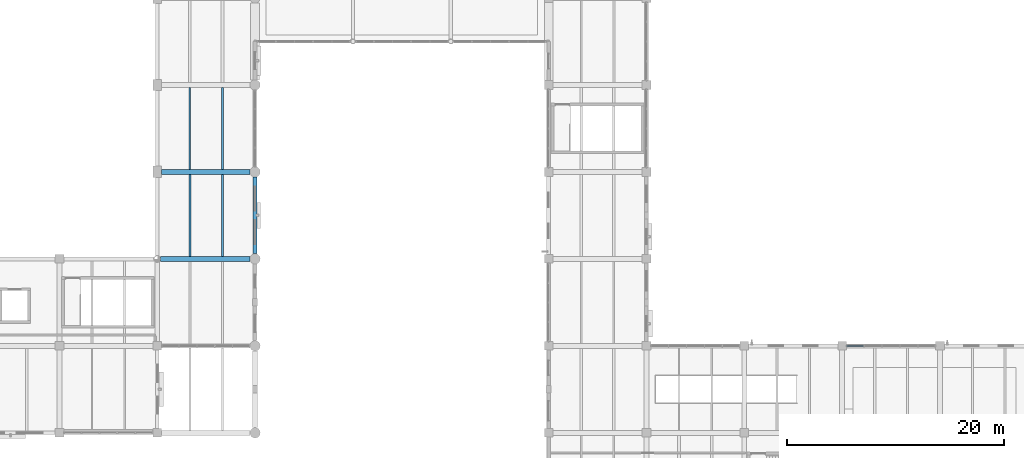
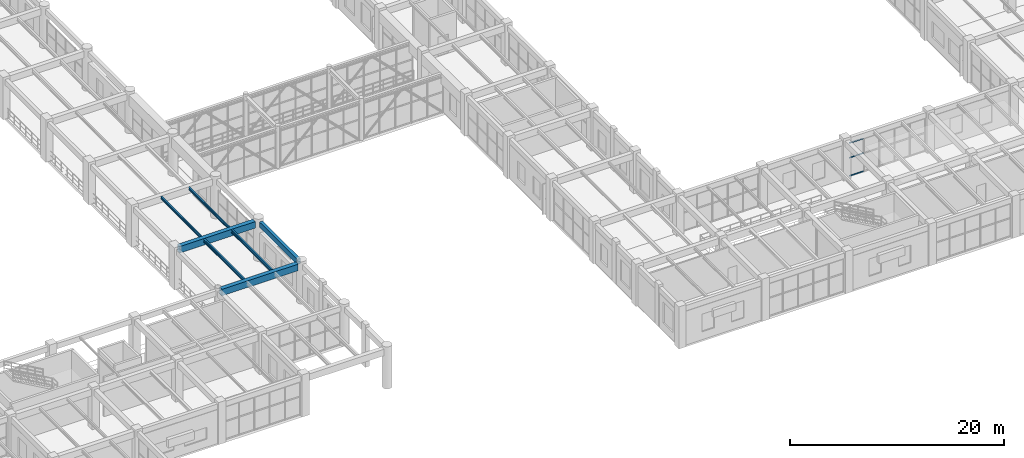
# One storey, part 53 of 178: 7 beams, 3 members, 1 element without a shape of its own.
"""IFC4 building model written with IfcOpenShell, lengths in metres."""

import ifcopenshell
import ifcopenshell.guid

model = None  # the IFC model being written
_history = None  # IfcOwnerHistory: only IFC2X3 demands one
_inside = {}  # id of a spatial element -> (the spatial element, [elements in it])
_under = {}  # id of a project, library or spatial element -> (it, [spatial elements below it])
_declared = {}  # id of a project -> (the project, [libraries it declares])
_typed = {}  # id of a type object -> (the type object, [elements of that type])
_made_of = {}  # id of a material, layer set ... -> (it, [elements and type objects made of it])


def new_model(schema):
    """Start an empty IFC model of exactly this schema.

    Asked for "IFC4X3", IfcOpenShell would pick the latest addendum, in which some entities
    have other attributes; the version numbers below select the first issue.
    IFC2X3 requires an IfcOwnerHistory on every rooted entity: one is made here for all.
    """
    global model, _history
    if schema == "IFC4X3":
        model = ifcopenshell.file(schema_version=(4, 3, 0, 0))
    else:
        model = ifcopenshell.file(schema=schema)
    _inside.clear()
    _under.clear()
    _declared.clear()
    _typed.clear()
    _made_of.clear()
    _history = None
    if model.schema == "IFC2X3":
        org = make("IfcOrganization", Name="unknown")
        user = make(
            "IfcPersonAndOrganization",
            ThePerson=make("IfcPerson", FamilyName="unknown"),
            TheOrganization=org,
        )
        app = make(
            "IfcApplication",
            ApplicationDeveloper=org,
            Version="unknown",
            ApplicationFullName="unknown",
            ApplicationIdentifier="unknown",
        )
        _history = make(
            "IfcOwnerHistory",
            OwningUser=user,
            OwningApplication=app,
            ChangeAction="ADDED",
            CreationDate=0,
        )
    return model


def make(cls, **values):
    """One entity of the class cls with the attributes given. An attribute that is None is left unset."""
    return model.create_entity(
        cls, **{name: value for name, value in values.items() if value is not None}
    )


def rooted(cls, **values):
    """An entity with a GlobalId (a new one), such as an element, a storey or a relation."""
    return make(cls, GlobalId=ifcopenshell.guid.new(), OwnerHistory=_history, **values)


def si_unit(unit_type, name, prefix=None):
    """IfcSIUnit, for example si_unit("LENGTHUNIT", "METRE", prefix="MILLI")."""
    return make("IfcSIUnit", UnitType=unit_type, Prefix=prefix, Name=name)


def derived_unit(unit_type, elements):
    """IfcDerivedUnit: a product of units, each with its exponent."""
    return make(
        "IfcDerivedUnit",
        Elements=[
            make("IfcDerivedUnitElement", Unit=unit, Exponent=power)
            for unit, power in elements
        ],
        UnitType=unit_type,
    )


def assignment(units):
    """IfcUnitAssignment: the units of a project."""
    return None if units is None else make("IfcUnitAssignment", Units=units)


def point(xyz):
    """IfcCartesianPoint."""
    return None if xyz is None else make("IfcCartesianPoint", Coordinates=xyz)


def direction(xyz):
    """IfcDirection."""
    return None if xyz is None else make("IfcDirection", DirectionRatios=xyz)


def frame(location, z_axis=None, x_axis=None):
    """IfcAxis2Placement3D, a coordinate frame: its origin and axes. An axis left out is left unset."""
    return make(
        "IfcAxis2Placement3D",
        Location=point(location),
        Axis=direction(z_axis),
        RefDirection=direction(x_axis),
    )


def frame_2d(location, x_axis=None):
    """IfcAxis2Placement2D, a coordinate frame in the plane: its origin and x axis."""
    return make(
        "IfcAxis2Placement2D", Location=point(location), RefDirection=direction(x_axis)
    )


def origin():
    """The frame at (0, 0, 0) with its axes left unset."""
    return frame((0.0, 0.0, 0.0))


def origin_2d():
    """The frame at (0, 0) in the plane with its x axis left unset."""
    return frame_2d((0.0, 0.0))


def place(relative_to, where):
    """IfcLocalPlacement: puts the frame where relative to a parent placement (None: the world)."""
    return make(
        "IfcLocalPlacement", PlacementRelTo=relative_to, RelativePlacement=where
    )


def context(
    kind, dimensions, precision=None, world=None, true_north=None, identifier=None
):
    """IfcGeometricRepresentationContext, for example the 3D "Model" context."""
    return make(
        "IfcGeometricRepresentationContext",
        ContextIdentifier=identifier,
        ContextType=kind,
        CoordinateSpaceDimension=dimensions,
        Precision=precision,
        WorldCoordinateSystem=world,
        TrueNorth=true_north,
    )


def subcontext(parent, identifier, kind, view, scale=None):
    """IfcGeometricRepresentationSubContext, for example "Body" below "Model"."""
    return make(
        "IfcGeometricRepresentationSubContext",
        ContextIdentifier=identifier,
        ContextType=kind,
        ParentContext=parent,
        TargetScale=scale,
        TargetView=view,
    )


def project(units=None, contexts=None):
    """IfcProject with its units and contexts."""
    return rooted(
        "IfcProject",
        Name="project",
        RepresentationContexts=contexts,
        UnitsInContext=assignment(units),
    )


def spatial(cls, under=None, at=None, **own):
    """A site, building, storey or space (cls), placed at a placement, below another one or the project."""
    s = rooted(cls, ObjectPlacement=at, **own)
    if under is not None:
        _under.setdefault(under.id(), (under, []))[1].append(s)
    return s


def profile(cls, at=None, kind="AREA", **sizes):
    """A parametric profile (cls). Its sizes go by their IFC names, for example OverallWidth=200.0."""
    return make(cls, ProfileType=kind, Position=at, **sizes)


def rectangle(**sizes):
    """IfcRectangleProfileDef."""
    return profile("IfcRectangleProfileDef", **sizes)


def hollow_rectangle(**sizes):
    """IfcRectangleHollowProfileDef."""
    return profile("IfcRectangleHollowProfileDef", **sizes)


def i_section(**sizes):
    """IfcIShapeProfileDef."""
    return profile("IfcIShapeProfileDef", **sizes)


def extrude(swept, where, along, depth):
    """IfcExtrudedAreaSolid: the profile swept, set in the frame where, extruded along a direction by depth."""
    return make(
        "IfcExtrudedAreaSolid",
        SweptArea=swept,
        Position=where,
        ExtrudedDirection=direction(along),
        Depth=depth,
    )


def shape(context_of_items, identifier, shape_type, items):
    """IfcShapeRepresentation: the items that make up one representation, for example the "Body"."""
    return make(
        "IfcShapeRepresentation",
        ContextOfItems=context_of_items,
        RepresentationIdentifier=identifier,
        RepresentationType=shape_type,
        Items=items,
    )


def material(Name=None, Category=None):
    """IfcMaterial."""
    return make("IfcMaterial", Name=Name, Category=Category)


def material_profile(
    of_material, cross_section, Name=None, Category=None, Priority=None
):
    """IfcMaterialProfile: a cross section and its material."""
    return make(
        "IfcMaterialProfile",
        Name=Name,
        Material=of_material,
        Profile=cross_section,
        Priority=Priority,
        Category=Category,
    )


def profile_set(profiles, Name=None, composite=None):
    """IfcMaterialProfileSet."""
    return make(
        "IfcMaterialProfileSet",
        Name=Name,
        MaterialProfiles=profiles,
        CompositeProfile=composite,
    )


def made_of(thing, what):
    """Note that an element or type object is made of a material, layer set ...; save() writes the relation."""
    if what is not None:
        _made_of.setdefault(what.id(), (what, []))[1].append(thing)
    return thing


def type_object(cls, material=None, **own):
    """A type object (cls), such as IfcWallType, which elements share."""
    return made_of(rooted(cls, **own), material)


def element(
    cls,
    number,
    at=None,
    inside=None,
    cuts=None,
    type_object=None,
    material=None,
    context=None,
    identifier="Body",
    shape_type=None,
    held_by="IfcProductDefinitionShape",
    body=None,
    shapes=None,
    **own,
):
    """One element of the class cls, such as IfcWall. Its Tag is "e" and its number.

    at: its placement. inside: the storey or other place that contains it. cuts: it is an
    opening in that element (IfcRelVoidsElement). A single representation is given by context,
    identifier, shape_type and body (its items); several are given by shapes. held_by: the class
    of the entity that holds the representations. save() writes the other relations.
    """
    e = rooted(cls, Tag="e%d" % number, ObjectPlacement=at, **own)
    if body is not None:
        shapes = [shape(context, identifier, shape_type, body)]
    if shapes is not None:
        e.Representation = make(held_by, Representations=shapes)
    if inside is not None:
        _inside.setdefault(inside.id(), (inside, []))[1].append(e)
    if cuts is not None:
        rooted(
            "IfcRelVoidsElement", RelatingBuildingElement=cuts, RelatedOpeningElement=e
        )
    if type_object is not None:
        _typed.setdefault(type_object.id(), (type_object, []))[1].append(e)
    return made_of(e, material)


def aggregate(whole, parts):
    """IfcRelAggregates: a whole, such as a stair, and the parts it consists of."""
    return rooted("IfcRelAggregates", RelatingObject=whole, RelatedObjects=parts)


def save(model, path):
    """Write the relations noted so far, then the file.

    IfcRelAggregates (storeys below a building ...), IfcRelContainedInSpatialStructure (elements
    in a storey), IfcRelDefinesByType, IfcRelAssociatesMaterial and IfcRelDeclares: one each for
    every whole, place, type object, material and project.
    """
    for whole, parts in _under.values():
        aggregate(whole, parts)
    for where, things in _inside.values():
        rooted(
            "IfcRelContainedInSpatialStructure",
            RelatedElements=things,
            RelatingStructure=where,
        )
    for kind, things in _typed.values():
        rooted("IfcRelDefinesByType", RelatedObjects=things, RelatingType=kind)
    for what, things in _made_of.values():
        rooted("IfcRelAssociatesMaterial", RelatedObjects=things, RelatingMaterial=what)
    for by, libraries in _declared.values():
        rooted("IfcRelDeclares", RelatingContext=by, RelatedDefinitions=libraries)
    model.write(path)


model = new_model("IFC4")

# Units and contexts
model_context = context("Model", 3, precision=1e-05, world=origin(), true_north=direction((0.0, 1.0)))
body_context = subcontext(model_context, "Body", "Model", "MODEL_VIEW")
ifc_project = project(units=[si_unit("LENGTHUNIT", "METRE"), si_unit("AREAUNIT", "SQUARE_METRE"), si_unit("VOLUMEUNIT", "CUBIC_METRE"), si_unit("PLANEANGLEUNIT", "RADIAN"), si_unit("MASSUNIT", "GRAM", prefix="KILO"), derived_unit("THERMALTRANSMITTANCEUNIT", [(si_unit("MASSUNIT", "GRAM", prefix="KILO"), 1), (si_unit("TIMEUNIT", "SECOND"), -3), (si_unit("THERMODYNAMICTEMPERATUREUNIT", "KELVIN"), -1)])], contexts=[model_context])

# Site, building, storey
site_placement = place(None, origin())
site = spatial("IfcSite", under=ifc_project, at=site_placement, CompositionType="ELEMENT")
building_placement = place(site_placement, origin())
building = spatial("IfcBuilding", under=site, at=building_placement, Name="Zhenchuan Archway Interchange", CompositionType="ELEMENT")
storey_placement = place(building_placement, frame((0.0, 0.0, 5.39990234375)))
storey = spatial("IfcBuildingStorey", under=building, at=storey_placement, Name="L01", CompositionType="ELEMENT", Elevation=5.39990234375)

# Beams
ifc_material_1 = material(Name="Concrete C40", Category="concrete")
ifc_material_profile_1 = material_profile(ifc_material_1, rectangle(XDim=0.449951171875, YDim=0.75, at=origin_2d()), Name="RC 450x750")
ifc_profile_set_1 = profile_set([ifc_material_profile_1], Name="Concrete C40")
beam_type_1 = type_object("IfcBeamType", Name="BM_RC_450x750", PredefinedType="BEAM", material=ifc_profile_set_1)
beam_1_placement = place(storey_placement, frame((63.304931640625, 32.0, 4.135009765625), z_axis=(1.0, 0.0, 0.0), x_axis=(0.0, 1.0, 0.0)))
element("IfcBeam", 1, at=beam_1_placement, inside=storey, type_object=beam_type_1, Name="Beam E:8-9 (L01)", PredefinedType="BEAM", context=body_context, shape_type="SweptSolid", body=[
    extrude(rectangle(XDim=0.449951171875, YDim=0.75, at=origin_2d()), origin(), (0.0, 0.0, 1.0), 8.219970703125),
])
beam_2_placement = place(storey_placement, frame((63.375, 40.0, 4.135009765625), z_axis=(1.0, 0.0, 0.0), x_axis=(0.0, 1.0, 0.0)))
element("IfcBeam", 2, at=beam_2_placement, inside=storey, type_object=beam_type_1, Name="Beam F:8-9 (L01)", PredefinedType="BEAM", context=body_context, shape_type="SweptSolid", body=[
    extrude(rectangle(XDim=0.449951171875, YDim=0.75, at=origin_2d()), origin(), (0.0, 0.0, 1.0), 8.14990234375),
])

# Curtain wall, members
ifc_material_2 = material(Name="Anodised Aluminium", Category="aluminium")
curtain_wall_type = type_object("IfcCurtainWallType", Name="CW_UNIT_4", PredefinedType="NOTDEFINED", material=ifc_material_2)
curtain_wall_placement = place(storey_placement, origin())
curtain_wall = element("IfcCurtainWall", 3, at=curtain_wall_placement, inside=storey, type_object=curtain_wall_type, Name="Unitised curtain wall CW:L01:103", PredefinedType="NOTDEFINED")
ifc_material_profile_2 = material_profile(ifc_material_2, hollow_rectangle(XDim=0.06005859375, YDim=0.139892578125, WallThickness=0.00341796875, InnerFilletRadius=0.00341796875, OuterFilletRadius=0.007080078125, at=origin_2d()), Name="ALU 140x60x3.5")
ifc_profile_set_2 = profile_set([ifc_material_profile_2], Name="Anodised Aluminium")
member_type = type_object("IfcMemberType", Name="CW_TRN_140", PredefinedType="USERDEFINED", material=ifc_profile_set_2)
member_1_placement = place(storey_placement, frame((126.447998046875, 24.0, 0.06005859375), z_axis=(1.0, 0.0, 0.0), x_axis=(0.0, 1.0, 0.0)))
member_1 = element("IfcMember", 4, at=member_1_placement, type_object=member_type, Name="CW:L01:103 transom 0-1", ObjectType="TRANSOM", PredefinedType="USERDEFINED", context=body_context, shape_type="SweptSolid", body=[
    extrude(hollow_rectangle(XDim=0.06005859375, YDim=0.139892578125, WallThickness=0.00341796875, InnerFilletRadius=0.00341796875, OuterFilletRadius=0.007080078125, at=origin_2d()), origin(), (0.0, 0.0, 1.0), 1.5126953125),
])
member_2_placement = place(storey_placement, frame((126.447998046875, 24.0, 2.123046875), z_axis=(1.0, 0.0, 0.0), x_axis=(0.0, 1.0, 0.0)))
member_2 = element("IfcMember", 5, at=member_2_placement, type_object=member_type, Name="CW:L01:103 transom 0-2", ObjectType="TRANSOM", PredefinedType="USERDEFINED", context=body_context, shape_type="SweptSolid", body=[
    extrude(hollow_rectangle(XDim=0.06005859375, YDim=0.139892578125, WallThickness=0.00341796875, InnerFilletRadius=0.00341796875, OuterFilletRadius=0.007080078125, at=origin_2d()), origin(), (0.0, 0.0, 1.0), 1.5126953125),
])
member_3_placement = place(storey_placement, frame((126.447998046875, 24.0, 3.800048828125), z_axis=(1.0, 0.0, 0.0), x_axis=(0.0, 1.0, 0.0)))
member_3 = element("IfcMember", 6, at=member_3_placement, type_object=member_type, Name="CW:L01:103 transom 0-3", ObjectType="TRANSOM", PredefinedType="USERDEFINED", context=body_context, shape_type="SweptSolid", body=[
    extrude(hollow_rectangle(XDim=0.06005859375, YDim=0.139892578125, WallThickness=0.00341796875, InnerFilletRadius=0.00341796875, OuterFilletRadius=0.007080078125, at=origin_2d()), origin(), (0.0, 0.0, 1.0), 1.5126953125),
])
aggregate(curtain_wall, [member_1, member_2, member_3])

# Beams
ifc_material_3 = material(Name="Steel Q355", Category="steel")
ifc_material_profile_3 = material_profile(ifc_material_3, i_section(OverallWidth=0.14990234375, OverallDepth=0.300048828125, WebThickness=0.006591796875, FlangeThickness=0.009033203125, FilletRadius=0.012939453125, at=origin_2d()), Name="HN 300x150")
ifc_profile_set_3 = profile_set([ifc_material_profile_3], Name="Steel Q355")
beam_type_2 = type_object("IfcBeamType", Name="JST_STL_HN300", PredefinedType="JOIST", material=ifc_profile_set_3)
for number, where, z_axis, x_axis, name in (
    (7, (66.0, 40.22509765625, 4.360107421875), (0.0, 1.0, 0.0), (-1.0, 0.0, 0.0), "Secondary joist 8-9/F-G #1 (L01)"),
    (8, (69.0, 40.22509765625, 4.360107421875), (0.0, 1.0, 0.0), (-1.0, 0.0, 0.0), "Secondary joist 8-9/F-G #2 (L01)"),
):
    element("IfcBeam", number, at=place(storey_placement, frame(where, z_axis=z_axis, x_axis=x_axis)), inside=storey, type_object=beam_type_2, Name=name, PredefinedType="JOIST", context=body_context, shape_type="SweptSolid", body=[
        extrude(i_section(OverallWidth=0.14990234375, OverallDepth=0.300048828125, WebThickness=0.006591796875, FlangeThickness=0.009033203125, FilletRadius=0.012939453125, at=origin_2d()), origin(), (0.0, 0.0, 1.0), 7.5498046875),
    ])
ifc_material_profile_4 = material_profile(ifc_material_3, i_section(OverallWidth=0.175048828125, OverallDepth=0.35009765625, WebThickness=0.007080078125, FlangeThickness=0.010986328125, FilletRadius=0.013916015625, at=origin_2d()), Name="HN 350x175")
ifc_profile_set_4 = profile_set([ifc_material_profile_4], Name="Steel Q355")
beam_type_3 = type_object("IfcBeamType", Name="JST_STL_HN350", PredefinedType="JOIST", material=ifc_profile_set_4)
for number, where, z_axis, x_axis, name in (
    (9, (66.0, 32.22509765625, 4.335205078125), (0.0, 1.0, 0.0), (-1.0, 0.0, 0.0), "Secondary joist 8-9/E-F #1 (L01)"),
    (10, (69.0, 32.22509765625, 4.335205078125), (0.0, 1.0, 0.0), (-1.0, 0.0, 0.0), "Secondary joist 8-9/E-F #2 (L01)"),
):
    element("IfcBeam", number, at=place(storey_placement, frame(where, z_axis=z_axis, x_axis=x_axis)), inside=storey, type_object=beam_type_3, Name=name, PredefinedType="JOIST", context=body_context, shape_type="SweptSolid", body=[
        extrude(i_section(OverallWidth=0.175048828125, OverallDepth=0.35009765625, WebThickness=0.007080078125, FlangeThickness=0.010986328125, FilletRadius=0.013916015625, at=origin_2d()), origin(), (0.0, 0.0, 1.0), 7.5498046875),
    ])
ifc_material_profile_5 = material_profile(ifc_material_1, rectangle(XDim=0.35009765625, YDim=0.60009765625, at=origin_2d()), Name="RC 350x600")
ifc_profile_set_5 = profile_set([ifc_material_profile_5], Name="Concrete C40")
beam_type_4 = type_object("IfcBeamType", Name="SP_RC_350x600", PredefinedType="SPANDREL", material=ifc_profile_set_5)
beam_3_placement = place(storey_placement, frame((72.0, 32.47509765625, 4.210205078125), z_axis=(0.0, 1.0, 0.0), x_axis=(-1.0, 0.0, 0.0)))
element("IfcBeam", 11, at=beam_3_placement, inside=storey, type_object=beam_type_4, Name="Beam 9:E-F (L01)", PredefinedType="SPANDREL", context=body_context, shape_type="SweptSolid", body=[
    extrude(rectangle(XDim=0.35009765625, YDim=0.60009765625, at=origin_2d()), origin(), (0.0, 0.0, 1.0), 7.0498046875),
])

save(model, "model.ifc")
